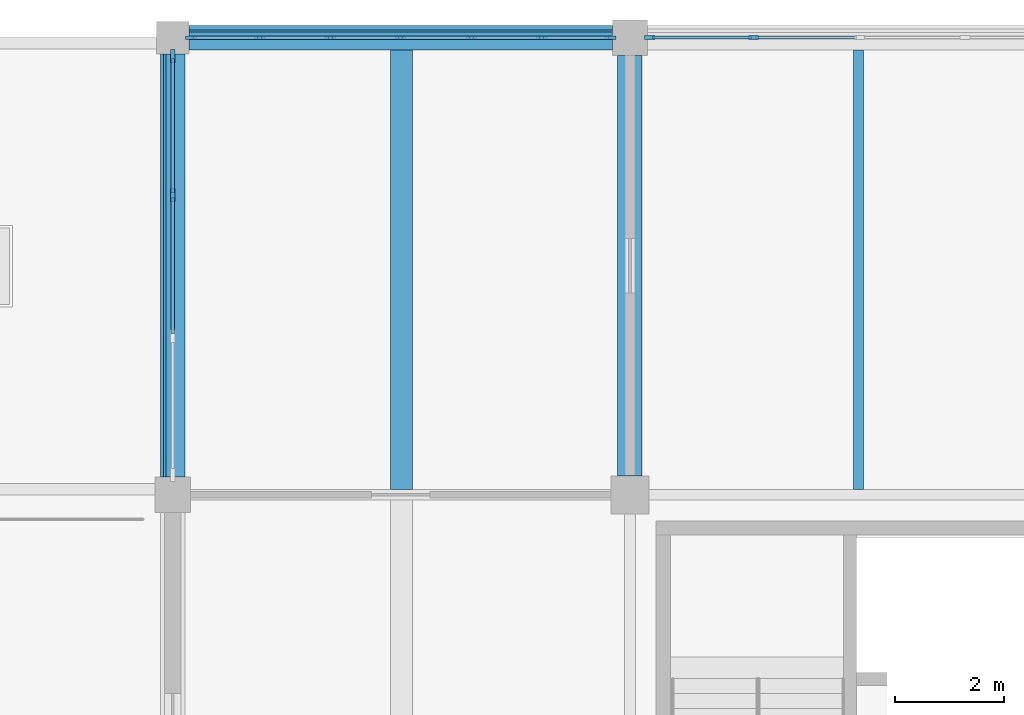
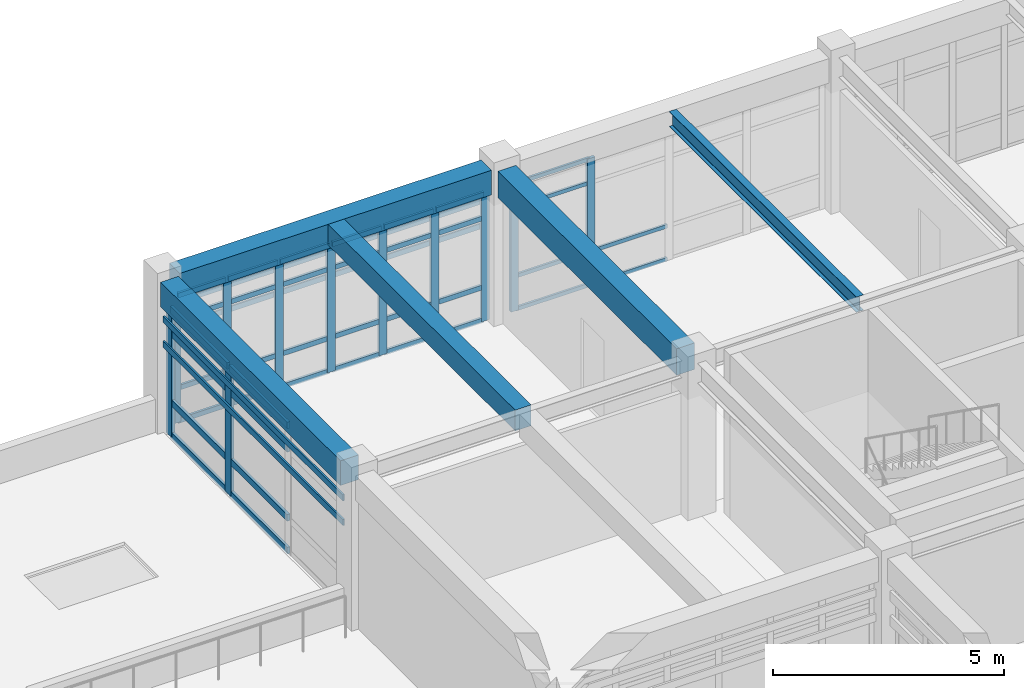
# One storey, part 13 of 40: 53 members, 5 beams, 3 elements without a shape of their own.
"""IFC4 building model written with IfcOpenShell, lengths in metres."""

from ifc_helpers import new_model, si_unit, direction, frame, origin, origin_2d, place, context, subcontext, project, spatial, rectangle, i_section, extrude, material, layer, layer_set, material_profile, profile_set, type_object, element, aggregate, save


model = new_model("IFC4")

# Units and contexts
model_context = context("Model", 3, precision=1e-05, world=origin(), true_north=direction((0.0, 1.0)))
body_context = subcontext(model_context, "Body", "Model", "MODEL_VIEW")
ifc_project = project(units=[si_unit("LENGTHUNIT", "METRE"), si_unit("AREAUNIT", "SQUARE_METRE"), si_unit("VOLUMEUNIT", "CUBIC_METRE"), si_unit("PLANEANGLEUNIT", "RADIAN"), si_unit("MASSUNIT", "GRAM", prefix="KILO")], contexts=[model_context])

# Site, building, storey
site_placement = place(None, origin())
site = spatial("IfcSite", under=ifc_project, at=site_placement, CompositionType="ELEMENT")
building_placement = place(site_placement, origin())
building = spatial("IfcBuilding", under=site, at=building_placement, Name="Porcellanite Civic Hall", CompositionType="ELEMENT")
storey_placement = place(building_placement, frame((0.0, 0.0, 19.080078125)))
storey = spatial("IfcBuildingStorey", under=building, at=storey_placement, Name="L04", CompositionType="ELEMENT", Elevation=19.080078125)

# Beams
ifc_material_1 = material(Name="Concrete N50 (50 MPa)", Category="concrete")
ifc_material_profile_1 = material_profile(ifc_material_1, rectangle(XDim=0.39990234375, YDim=0.550048828125, at=origin_2d()), Name="RC-400x550")
ifc_profile_set_1 = profile_set([ifc_material_profile_1], Name="Concrete N50 (50 MPa)")
beam_type_1 = type_object("IfcBeamType", Name="BM-RC550", PredefinedType="JOIST", material=ifc_profile_set_1)
beam_1_placement = place(storey_placement, frame((46.199951171875, 109.29443359375, 3.794921875), z_axis=(0.0, 1.0, 0.0), x_axis=(-1.0, 0.0, 0.0)))
element("IfcBeam", 1, at=beam_1_placement, inside=storey, type_object=beam_type_1, Name="Secondary joist L04 6-14", PredefinedType="JOIST", context=body_context, shape_type="SweptSolid", body=[
    extrude(rectangle(XDim=0.39990234375, YDim=0.550048828125, at=origin_2d()), origin(), (0.0, 0.0, 1.0), 8.0810546875),
])
ifc_material_2 = material(Name="Concrete N50 (50 MPa)", Category="concrete")
ifc_material_profile_2 = material_profile(ifc_material_2, rectangle(XDim=0.449951171875, YDim=0.64990234375, at=origin_2d()), Name="RC-450x650")
ifc_profile_set_2 = profile_set([ifc_material_profile_2], Name="Concrete N50 (50 MPa)")
beam_type_2 = type_object("IfcBeamType", Name="BM-RC650", PredefinedType="SPANDREL", material=ifc_profile_set_2)
beam_2_placement = place(storey_placement, frame((42.299560546875, 117.60009765625, 3.744873046875), z_axis=(1.0, 0.0, 0.0), x_axis=(0.0, 1.0, 0.0)))
element("IfcBeam", 2, at=beam_2_placement, inside=storey, type_object=beam_type_2, Name="Beam X L04 6-15", PredefinedType="SPANDREL", context=body_context, shape_type="SweptSolid", body=[
    extrude(rectangle(XDim=0.449951171875, YDim=0.64990234375, at=origin_2d()), origin(), (0.0, 0.0, 1.0), 7.77587890625),
])
beam_3_placement = place(storey_placement, frame((42.0, 109.5244140625, 3.744873046875), z_axis=(0.0, 1.0, 0.0), x_axis=(-1.0, 0.0, 0.0)))
element("IfcBeam", 3, at=beam_3_placement, inside=storey, type_object=beam_type_2, Name="Beam Y L04 6-14", PredefinedType="SPANDREL", context=body_context, shape_type="SweptSolid", body=[
    extrude(rectangle(XDim=0.449951171875, YDim=0.64990234375, at=origin_2d()), origin(), (0.0, 0.0, 1.0), 7.776123046875),
])
ifc_material_3 = material(Name="Concrete N50 (50 MPa)", Category="concrete")
ifc_material_profile_3 = material_profile(ifc_material_3, rectangle(XDim=0.449951171875, YDim=0.699951171875, at=origin_2d()), Name="RC-450x700")
ifc_profile_set_3 = profile_set([ifc_material_profile_3], Name="Concrete N50 (50 MPa)")
beam_type_3 = type_object("IfcBeamType", Name="BM-RC700", PredefinedType="BEAM", material=ifc_profile_set_3)
beam_4_placement = place(storey_placement, frame((50.39990234375, 109.549560546875, 3.719970703125), z_axis=(0.0, 1.0, 0.0), x_axis=(-1.0, 0.0, 0.0)))
element("IfcBeam", 4, at=beam_4_placement, inside=storey, type_object=beam_type_3, Name="Beam Y L04 7-14", PredefinedType="BEAM", context=body_context, shape_type="SweptSolid", body=[
    extrude(rectangle(XDim=0.449951171875, YDim=0.699951171875, at=origin_2d()), origin(), (0.0, 0.0, 1.0), 7.725830078125),
])

# Curtain wall, members
ifc_material_4 = material(Name="Anodised aluminium and solar laminated glass", Category="aluminium")
ifc_layer_1 = layer(ifc_material_4, 0.179931640625)
ifc_layer_set_1 = layer_set([ifc_layer_1], Name="Anodised aluminium and solar laminated glass")
curtain_wall_type_1 = type_object("IfcCurtainWallType", Name="CW-SYS08", PredefinedType="NOTDEFINED", material=ifc_layer_set_1)
curtain_wall_1_placement = place(storey_placement, origin())
curtain_wall_1 = element("IfcCurtainWall", 5, at=curtain_wall_1_placement, inside=storey, type_object=curtain_wall_type_1, Name="Curtain wall CW-238", PredefinedType="NOTDEFINED")
ifc_material_5 = material(Name="Anodised aluminium 6063-T6", Category="aluminium")
ifc_material_profile_4 = material_profile(ifc_material_5, rectangle(XDim=0.080078125, YDim=0.239990234375, at=origin_2d()), Name="AL-80x240")
ifc_profile_set_4 = profile_set([ifc_material_profile_4], Name="Anodised aluminium 6063-T6")
member_type_1 = type_object("IfcMemberType", Name="CWM-01", PredefinedType="MULLION", material=ifc_profile_set_4)
member_1_placement = place(storey_placement, frame((42.0, 114.7080078125, 0.0), z_axis=(0.0, 0.0, 1.0), x_axis=(-1.0, 0.0, 0.0)))
member_1 = element("IfcMember", 6, at=member_1_placement, type_object=member_type_1, Name="CW-238 mullion 3", PredefinedType="MULLION", context=body_context, shape_type="SweptSolid", body=[
    extrude(rectangle(XDim=0.080078125, YDim=0.239990234375, at=origin_2d()), origin(), (0.0, 0.0, 1.0), 3.369873046875),
])
member_2_placement = place(storey_placement, frame((42.0, 117.259033203125, 0.0), z_axis=(0.0, 0.0, 1.0), x_axis=(-1.0, 0.0, 0.0)))
member_2 = element("IfcMember", 7, at=member_2_placement, type_object=member_type_1, Name="CW-238 mullion 4", PredefinedType="MULLION", context=body_context, shape_type="SweptSolid", body=[
    extrude(rectangle(XDim=0.080078125, YDim=0.239990234375, at=origin_2d()), origin(), (0.0, 0.0, 1.0), 3.369873046875),
])

ifc_material_6 = material(Name="Anodised aluminium and solar laminated glass", Category="aluminium")
ifc_layer_2 = layer(ifc_material_6, 0.179931640625)
ifc_layer_set_2 = layer_set([ifc_layer_2], Name="Anodised aluminium and solar laminated glass")
curtain_wall_type_2 = type_object("IfcCurtainWallType", Name="CW-SYS04", PredefinedType="NOTDEFINED", material=ifc_layer_set_2)
curtain_wall_2_placement = place(storey_placement, origin())
curtain_wall_2 = element("IfcCurtainWall", 8, at=curtain_wall_2_placement, inside=storey, type_object=curtain_wall_type_2, Name="Curtain wall CW-247", PredefinedType="NOTDEFINED")
ifc_material_7 = material(Name="Anodised aluminium 6063-T6", Category="aluminium")
ifc_material_profile_5 = material_profile(ifc_material_7, rectangle(XDim=0.074951171875, YDim=0.18994140625, at=origin_2d()), Name="AL-75x190")
ifc_profile_set_5 = profile_set([ifc_material_profile_5], Name="Anodised aluminium 6063-T6")
member_type_2 = type_object("IfcMemberType", Name="CWM-04", PredefinedType="MULLION", material=ifc_profile_set_5)
member_3_placement = place(storey_placement, frame((50.763427734375, 117.60009765625, 0.0), z_axis=(0.0, 0.0, 1.0), x_axis=(0.0, 1.0, 0.0)))
member_3 = element("IfcMember", 9, at=member_3_placement, type_object=member_type_2, Name="CW-247 mullion 1", PredefinedType="MULLION", context=body_context, shape_type="SweptSolid", body=[
    extrude(rectangle(XDim=0.074951171875, YDim=0.18994140625, at=origin_2d()), origin(), (0.0, 0.0, 1.0), 3.369873046875),
])
member_4_placement = place(storey_placement, frame((52.669189453125, 117.60009765625, 0.0), z_axis=(0.0, 0.0, 1.0), x_axis=(0.0, 1.0, 0.0)))
member_4 = element("IfcMember", 10, at=member_4_placement, type_object=member_type_2, Name="CW-247 mullion 2", PredefinedType="MULLION", context=body_context, shape_type="SweptSolid", body=[
    extrude(rectangle(XDim=0.074951171875, YDim=0.18994140625, at=origin_2d()), origin(), (0.0, 0.0, 1.0), 3.369873046875),
])

ifc_material_8 = material(Name="Anodised aluminium and solar laminated glass", Category="aluminium")
ifc_layer_3 = layer(ifc_material_8, 0.179931640625)
ifc_layer_set_3 = layer_set([ifc_layer_3], Name="Anodised aluminium and solar laminated glass")
curtain_wall_type_3 = type_object("IfcCurtainWallType", Name="CW-SYS01", PredefinedType="NOTDEFINED", material=ifc_layer_set_3)
curtain_wall_3_placement = place(storey_placement, origin())
curtain_wall_3 = element("IfcCurtainWall", 11, at=curtain_wall_3_placement, inside=storey, type_object=curtain_wall_type_3, Name="Curtain wall CW-239", PredefinedType="NOTDEFINED")
ifc_material_9 = material(Name="Anodised aluminium 6063-T6", Category="aluminium")
ifc_material_profile_6 = material_profile(ifc_material_9, rectangle(XDim=0.070068359375, YDim=0.199951171875, at=origin_2d()), Name="AL-70x200")
ifc_profile_set_6 = profile_set([ifc_material_profile_6], Name="Anodised aluminium 6063-T6")
member_type_3 = type_object("IfcMemberType", Name="CWM-05", PredefinedType="MULLION", material=ifc_profile_set_6)
member_5_placement = place(storey_placement, frame((42.3359375, 117.60009765625, 0.0), z_axis=(0.0, 0.0, 1.0), x_axis=(0.0, 1.0, 0.0)))
member_5 = element("IfcMember", 12, at=member_5_placement, type_object=member_type_3, Name="CW-239 mullion 1", PredefinedType="MULLION", context=body_context, shape_type="SweptSolid", body=[
    extrude(rectangle(XDim=0.070068359375, YDim=0.199951171875, at=origin_2d()), origin(), (0.0, 0.0, 1.0), 3.369873046875),
])
member_6_placement = place(storey_placement, frame((43.596435546875, 117.60009765625, 0.0), z_axis=(0.0, 0.0, 1.0), x_axis=(0.0, 1.0, 0.0)))
member_6 = element("IfcMember", 13, at=member_6_placement, type_object=member_type_3, Name="CW-239 mullion 2", PredefinedType="MULLION", context=body_context, shape_type="SweptSolid", body=[
    extrude(rectangle(XDim=0.070068359375, YDim=0.199951171875, at=origin_2d()), origin(), (0.0, 0.0, 1.0), 3.369873046875),
])
member_7_placement = place(storey_placement, frame((44.89208984375, 117.60009765625, 0.0), z_axis=(0.0, 0.0, 1.0), x_axis=(0.0, 1.0, 0.0)))
member_7 = element("IfcMember", 14, at=member_7_placement, type_object=member_type_3, Name="CW-239 mullion 3", PredefinedType="MULLION", context=body_context, shape_type="SweptSolid", body=[
    extrude(rectangle(XDim=0.070068359375, YDim=0.199951171875, at=origin_2d()), origin(), (0.0, 0.0, 1.0), 3.369873046875),
])
member_8_placement = place(storey_placement, frame((46.1875, 117.60009765625, 0.0), z_axis=(0.0, 0.0, 1.0), x_axis=(0.0, 1.0, 0.0)))
member_8 = element("IfcMember", 15, at=member_8_placement, type_object=member_type_3, Name="CW-239 mullion 4", PredefinedType="MULLION", context=body_context, shape_type="SweptSolid", body=[
    extrude(rectangle(XDim=0.070068359375, YDim=0.199951171875, at=origin_2d()), origin(), (0.0, 0.0, 1.0), 3.369873046875),
])
member_9_placement = place(storey_placement, frame((47.48291015625, 117.60009765625, 0.0), z_axis=(0.0, 0.0, 1.0), x_axis=(0.0, 1.0, 0.0)))
member_9 = element("IfcMember", 16, at=member_9_placement, type_object=member_type_3, Name="CW-239 mullion 5", PredefinedType="MULLION", context=body_context, shape_type="SweptSolid", body=[
    extrude(rectangle(XDim=0.070068359375, YDim=0.199951171875, at=origin_2d()), origin(), (0.0, 0.0, 1.0), 3.369873046875),
])
member_10_placement = place(storey_placement, frame((48.778564453125, 117.60009765625, 0.0), z_axis=(0.0, 0.0, 1.0), x_axis=(0.0, 1.0, 0.0)))
member_10 = element("IfcMember", 17, at=member_10_placement, type_object=member_type_3, Name="CW-239 mullion 6", PredefinedType="MULLION", context=body_context, shape_type="SweptSolid", body=[
    extrude(rectangle(XDim=0.070068359375, YDim=0.199951171875, at=origin_2d()), origin(), (0.0, 0.0, 1.0), 3.369873046875),
])
member_11_placement = place(storey_placement, frame((50.0390625, 117.60009765625, 0.0), z_axis=(0.0, 0.0, 1.0), x_axis=(0.0, 1.0, 0.0)))
member_11 = element("IfcMember", 18, at=member_11_placement, type_object=member_type_3, Name="CW-239 mullion 7", PredefinedType="MULLION", context=body_context, shape_type="SweptSolid", body=[
    extrude(rectangle(XDim=0.070068359375, YDim=0.199951171875, at=origin_2d()), origin(), (0.0, 0.0, 1.0), 3.369873046875),
])

# Member
ifc_material_10 = material(Name="Anodised aluminium 6063-T6", Category="aluminium")
ifc_material_profile_7 = material_profile(ifc_material_10, rectangle(XDim=0.070068359375, YDim=0.175048828125, at=origin_2d()), Name="AL-70x175")
ifc_profile_set_7 = profile_set([ifc_material_profile_7], Name="Anodised aluminium 6063-T6")
member_type_4 = type_object("IfcMemberType", Name="CWT-01", PredefinedType="USERDEFINED", material=ifc_profile_set_7)
member_12_placement = place(storey_placement, frame((42.0, 112.156982421875, 0.034912109375), z_axis=(0.0, 1.0, 0.0), x_axis=(-1.0, 0.0, 0.0)))
member_12 = element("IfcMember", 19, at=member_12_placement, type_object=member_type_4, Name="CW-238 transom 2.1", ObjectType="TRANSOM", PredefinedType="USERDEFINED", context=body_context, shape_type="SweptSolid", body=[
    extrude(rectangle(XDim=0.070068359375, YDim=0.175048828125, at=origin_2d()), origin(), (0.0, 0.0, 1.0), 2.510986328125),
])

member_13_placement = place(storey_placement, frame((42.0, 112.156982421875, 0.89990234375), z_axis=(0.0, 1.0, 0.0), x_axis=(-1.0, 0.0, 0.0)))
member_13 = element("IfcMember", 20, at=member_13_placement, type_object=member_type_4, Name="CW-238 transom 2.2", ObjectType="TRANSOM", PredefinedType="USERDEFINED", context=body_context, shape_type="SweptSolid", body=[
    extrude(rectangle(XDim=0.070068359375, YDim=0.175048828125, at=origin_2d()), origin(), (0.0, 0.0, 1.0), 2.510986328125),
])

member_14_placement = place(storey_placement, frame((42.0, 112.156982421875, 2.719970703125), z_axis=(0.0, 1.0, 0.0), x_axis=(-1.0, 0.0, 0.0)))
member_14 = element("IfcMember", 21, at=member_14_placement, type_object=member_type_4, Name="CW-238 transom 2.3", ObjectType="TRANSOM", PredefinedType="USERDEFINED", context=body_context, shape_type="SweptSolid", body=[
    extrude(rectangle(XDim=0.070068359375, YDim=0.175048828125, at=origin_2d()), origin(), (0.0, 0.0, 1.0), 2.510986328125),
])

member_15_placement = place(storey_placement, frame((42.0, 112.156982421875, 3.3349609375), z_axis=(0.0, 1.0, 0.0), x_axis=(-1.0, 0.0, 0.0)))
member_15 = element("IfcMember", 22, at=member_15_placement, type_object=member_type_4, Name="CW-238 transom 2.4", ObjectType="TRANSOM", PredefinedType="USERDEFINED", context=body_context, shape_type="SweptSolid", body=[
    extrude(rectangle(XDim=0.070068359375, YDim=0.175048828125, at=origin_2d()), origin(), (0.0, 0.0, 1.0), 2.510986328125),
])

member_16_placement = place(storey_placement, frame((42.0, 114.748046875, 0.034912109375), z_axis=(0.0, 1.0, 0.0), x_axis=(-1.0, 0.0, 0.0)))
member_16 = element("IfcMember", 23, at=member_16_placement, type_object=member_type_4, Name="CW-238 transom 3.1", ObjectType="TRANSOM", PredefinedType="USERDEFINED", context=body_context, shape_type="SweptSolid", body=[
    extrude(rectangle(XDim=0.070068359375, YDim=0.175048828125, at=origin_2d()), origin(), (0.0, 0.0, 1.0), 2.470947265625),
])

member_17_placement = place(storey_placement, frame((42.0, 114.748046875, 0.89990234375), z_axis=(0.0, 1.0, 0.0), x_axis=(-1.0, 0.0, 0.0)))
member_17 = element("IfcMember", 24, at=member_17_placement, type_object=member_type_4, Name="CW-238 transom 3.2", ObjectType="TRANSOM", PredefinedType="USERDEFINED", context=body_context, shape_type="SweptSolid", body=[
    extrude(rectangle(XDim=0.070068359375, YDim=0.175048828125, at=origin_2d()), origin(), (0.0, 0.0, 1.0), 2.470947265625),
])

member_18_placement = place(storey_placement, frame((42.0, 114.748046875, 2.719970703125), z_axis=(0.0, 1.0, 0.0), x_axis=(-1.0, 0.0, 0.0)))
member_18 = element("IfcMember", 25, at=member_18_placement, type_object=member_type_4, Name="CW-238 transom 3.3", ObjectType="TRANSOM", PredefinedType="USERDEFINED", context=body_context, shape_type="SweptSolid", body=[
    extrude(rectangle(XDim=0.070068359375, YDim=0.175048828125, at=origin_2d()), origin(), (0.0, 0.0, 1.0), 2.470947265625),
])

member_19_placement = place(storey_placement, frame((42.0, 114.748046875, 3.3349609375), z_axis=(0.0, 1.0, 0.0), x_axis=(-1.0, 0.0, 0.0)))
member_19 = element("IfcMember", 26, at=member_19_placement, type_object=member_type_4, Name="CW-238 transom 3.4", ObjectType="TRANSOM", PredefinedType="USERDEFINED", context=body_context, shape_type="SweptSolid", body=[
    extrude(rectangle(XDim=0.070068359375, YDim=0.175048828125, at=origin_2d()), origin(), (0.0, 0.0, 1.0), 2.470947265625),
])

aggregate(curtain_wall_1, [member_1, member_2, member_12, member_13, member_14, member_15, member_16, member_17, member_18, member_19])

ifc_material_11 = material(Name="Anodised aluminium 6063-T6", Category="aluminium")
ifc_material_profile_8 = material_profile(ifc_material_11, rectangle(XDim=0.06005859375, YDim=0.1298828125, at=origin_2d()), Name="AL-60x130")
ifc_profile_set_8 = profile_set([ifc_material_profile_8], Name="Anodised aluminium 6063-T6")
member_type_5 = type_object("IfcMemberType", Name="CWT-03", PredefinedType="USERDEFINED", material=ifc_profile_set_8)
member_20_placement = place(storey_placement, frame((42.37109375, 117.60009765625, 0.030029296875), z_axis=(1.0, 0.0, 0.0), x_axis=(0.0, 1.0, 0.0)))
member_20 = element("IfcMember", 27, at=member_20_placement, type_object=member_type_5, Name="CW-239 transom 1.1", ObjectType="TRANSOM", PredefinedType="USERDEFINED", context=body_context, shape_type="SweptSolid", body=[
    extrude(rectangle(XDim=0.06005859375, YDim=0.1298828125, at=origin_2d()), origin(), (0.0, 0.0, 1.0), 1.1904296875),
])

member_21_placement = place(storey_placement, frame((42.37109375, 117.60009765625, 0.89990234375), z_axis=(1.0, 0.0, 0.0), x_axis=(0.0, 1.0, 0.0)))
member_21 = element("IfcMember", 28, at=member_21_placement, type_object=member_type_5, Name="CW-239 transom 1.2", ObjectType="TRANSOM", PredefinedType="USERDEFINED", context=body_context, shape_type="SweptSolid", body=[
    extrude(rectangle(XDim=0.06005859375, YDim=0.1298828125, at=origin_2d()), origin(), (0.0, 0.0, 1.0), 1.1904296875),
])

member_22_placement = place(storey_placement, frame((42.37109375, 117.60009765625, 2.719970703125), z_axis=(1.0, 0.0, 0.0), x_axis=(0.0, 1.0, 0.0)))
member_22 = element("IfcMember", 29, at=member_22_placement, type_object=member_type_5, Name="CW-239 transom 1.3", ObjectType="TRANSOM", PredefinedType="USERDEFINED", context=body_context, shape_type="SweptSolid", body=[
    extrude(rectangle(XDim=0.06005859375, YDim=0.1298828125, at=origin_2d()), origin(), (0.0, 0.0, 1.0), 1.1904296875),
])

member_23_placement = place(storey_placement, frame((42.37109375, 117.60009765625, 3.33984375), z_axis=(1.0, 0.0, 0.0), x_axis=(0.0, 1.0, 0.0)))
member_23 = element("IfcMember", 30, at=member_23_placement, type_object=member_type_5, Name="CW-239 transom 1.4", ObjectType="TRANSOM", PredefinedType="USERDEFINED", context=body_context, shape_type="SweptSolid", body=[
    extrude(rectangle(XDim=0.06005859375, YDim=0.1298828125, at=origin_2d()), origin(), (0.0, 0.0, 1.0), 1.1904296875),
])

member_24_placement = place(storey_placement, frame((43.631591796875, 117.60009765625, 0.030029296875), z_axis=(1.0, 0.0, 0.0), x_axis=(0.0, 1.0, 0.0)))
member_24 = element("IfcMember", 31, at=member_24_placement, type_object=member_type_5, Name="CW-239 transom 2.1", ObjectType="TRANSOM", PredefinedType="USERDEFINED", context=body_context, shape_type="SweptSolid", body=[
    extrude(rectangle(XDim=0.06005859375, YDim=0.1298828125, at=origin_2d()), origin(), (0.0, 0.0, 1.0), 1.225341796875),
])

member_25_placement = place(storey_placement, frame((43.631591796875, 117.60009765625, 0.89990234375), z_axis=(1.0, 0.0, 0.0), x_axis=(0.0, 1.0, 0.0)))
member_25 = element("IfcMember", 32, at=member_25_placement, type_object=member_type_5, Name="CW-239 transom 2.2", ObjectType="TRANSOM", PredefinedType="USERDEFINED", context=body_context, shape_type="SweptSolid", body=[
    extrude(rectangle(XDim=0.06005859375, YDim=0.1298828125, at=origin_2d()), origin(), (0.0, 0.0, 1.0), 1.225341796875),
])

member_26_placement = place(storey_placement, frame((43.631591796875, 117.60009765625, 2.719970703125), z_axis=(1.0, 0.0, 0.0), x_axis=(0.0, 1.0, 0.0)))
member_26 = element("IfcMember", 33, at=member_26_placement, type_object=member_type_5, Name="CW-239 transom 2.3", ObjectType="TRANSOM", PredefinedType="USERDEFINED", context=body_context, shape_type="SweptSolid", body=[
    extrude(rectangle(XDim=0.06005859375, YDim=0.1298828125, at=origin_2d()), origin(), (0.0, 0.0, 1.0), 1.225341796875),
])

member_27_placement = place(storey_placement, frame((43.631591796875, 117.60009765625, 3.33984375), z_axis=(1.0, 0.0, 0.0), x_axis=(0.0, 1.0, 0.0)))
member_27 = element("IfcMember", 34, at=member_27_placement, type_object=member_type_5, Name="CW-239 transom 2.4", ObjectType="TRANSOM", PredefinedType="USERDEFINED", context=body_context, shape_type="SweptSolid", body=[
    extrude(rectangle(XDim=0.06005859375, YDim=0.1298828125, at=origin_2d()), origin(), (0.0, 0.0, 1.0), 1.225341796875),
])

member_28_placement = place(storey_placement, frame((44.927001953125, 117.60009765625, 0.030029296875), z_axis=(1.0, 0.0, 0.0), x_axis=(0.0, 1.0, 0.0)))
member_28 = element("IfcMember", 35, at=member_28_placement, type_object=member_type_5, Name="CW-239 transom 3.1", ObjectType="TRANSOM", PredefinedType="USERDEFINED", context=body_context, shape_type="SweptSolid", body=[
    extrude(rectangle(XDim=0.06005859375, YDim=0.1298828125, at=origin_2d()), origin(), (0.0, 0.0, 1.0), 1.2255859375),
])

member_29_placement = place(storey_placement, frame((44.927001953125, 117.60009765625, 0.89990234375), z_axis=(1.0, 0.0, 0.0), x_axis=(0.0, 1.0, 0.0)))
member_29 = element("IfcMember", 36, at=member_29_placement, type_object=member_type_5, Name="CW-239 transom 3.2", ObjectType="TRANSOM", PredefinedType="USERDEFINED", context=body_context, shape_type="SweptSolid", body=[
    extrude(rectangle(XDim=0.06005859375, YDim=0.1298828125, at=origin_2d()), origin(), (0.0, 0.0, 1.0), 1.2255859375),
])

member_30_placement = place(storey_placement, frame((44.927001953125, 117.60009765625, 2.719970703125), z_axis=(1.0, 0.0, 0.0), x_axis=(0.0, 1.0, 0.0)))
member_30 = element("IfcMember", 37, at=member_30_placement, type_object=member_type_5, Name="CW-239 transom 3.3", ObjectType="TRANSOM", PredefinedType="USERDEFINED", context=body_context, shape_type="SweptSolid", body=[
    extrude(rectangle(XDim=0.06005859375, YDim=0.1298828125, at=origin_2d()), origin(), (0.0, 0.0, 1.0), 1.2255859375),
])

member_31_placement = place(storey_placement, frame((44.927001953125, 117.60009765625, 3.33984375), z_axis=(1.0, 0.0, 0.0), x_axis=(0.0, 1.0, 0.0)))
member_31 = element("IfcMember", 38, at=member_31_placement, type_object=member_type_5, Name="CW-239 transom 3.4", ObjectType="TRANSOM", PredefinedType="USERDEFINED", context=body_context, shape_type="SweptSolid", body=[
    extrude(rectangle(XDim=0.06005859375, YDim=0.1298828125, at=origin_2d()), origin(), (0.0, 0.0, 1.0), 1.2255859375),
])

member_32_placement = place(storey_placement, frame((46.222412109375, 117.60009765625, 0.030029296875), z_axis=(1.0, 0.0, 0.0), x_axis=(0.0, 1.0, 0.0)))
member_32 = element("IfcMember", 39, at=member_32_placement, type_object=member_type_5, Name="CW-239 transom 4.1", ObjectType="TRANSOM", PredefinedType="USERDEFINED", context=body_context, shape_type="SweptSolid", body=[
    extrude(rectangle(XDim=0.06005859375, YDim=0.1298828125, at=origin_2d()), origin(), (0.0, 0.0, 1.0), 1.2255859375),
])

member_33_placement = place(storey_placement, frame((46.222412109375, 117.60009765625, 0.89990234375), z_axis=(1.0, 0.0, 0.0), x_axis=(0.0, 1.0, 0.0)))
member_33 = element("IfcMember", 40, at=member_33_placement, type_object=member_type_5, Name="CW-239 transom 4.2", ObjectType="TRANSOM", PredefinedType="USERDEFINED", context=body_context, shape_type="SweptSolid", body=[
    extrude(rectangle(XDim=0.06005859375, YDim=0.1298828125, at=origin_2d()), origin(), (0.0, 0.0, 1.0), 1.2255859375),
])

member_34_placement = place(storey_placement, frame((46.222412109375, 117.60009765625, 2.719970703125), z_axis=(1.0, 0.0, 0.0), x_axis=(0.0, 1.0, 0.0)))
member_34 = element("IfcMember", 41, at=member_34_placement, type_object=member_type_5, Name="CW-239 transom 4.3", ObjectType="TRANSOM", PredefinedType="USERDEFINED", context=body_context, shape_type="SweptSolid", body=[
    extrude(rectangle(XDim=0.06005859375, YDim=0.1298828125, at=origin_2d()), origin(), (0.0, 0.0, 1.0), 1.2255859375),
])

member_35_placement = place(storey_placement, frame((46.222412109375, 117.60009765625, 3.33984375), z_axis=(1.0, 0.0, 0.0), x_axis=(0.0, 1.0, 0.0)))
member_35 = element("IfcMember", 42, at=member_35_placement, type_object=member_type_5, Name="CW-239 transom 4.4", ObjectType="TRANSOM", PredefinedType="USERDEFINED", context=body_context, shape_type="SweptSolid", body=[
    extrude(rectangle(XDim=0.06005859375, YDim=0.1298828125, at=origin_2d()), origin(), (0.0, 0.0, 1.0), 1.2255859375),
])

member_36_placement = place(storey_placement, frame((47.51806640625, 117.60009765625, 0.030029296875), z_axis=(1.0, 0.0, 0.0), x_axis=(0.0, 1.0, 0.0)))
member_36 = element("IfcMember", 43, at=member_36_placement, type_object=member_type_5, Name="CW-239 transom 5.1", ObjectType="TRANSOM", PredefinedType="USERDEFINED", context=body_context, shape_type="SweptSolid", body=[
    extrude(rectangle(XDim=0.06005859375, YDim=0.1298828125, at=origin_2d()), origin(), (0.0, 0.0, 1.0), 1.225341796875),
])

member_37_placement = place(storey_placement, frame((47.51806640625, 117.60009765625, 0.89990234375), z_axis=(1.0, 0.0, 0.0), x_axis=(0.0, 1.0, 0.0)))
member_37 = element("IfcMember", 44, at=member_37_placement, type_object=member_type_5, Name="CW-239 transom 5.2", ObjectType="TRANSOM", PredefinedType="USERDEFINED", context=body_context, shape_type="SweptSolid", body=[
    extrude(rectangle(XDim=0.06005859375, YDim=0.1298828125, at=origin_2d()), origin(), (0.0, 0.0, 1.0), 1.225341796875),
])

member_38_placement = place(storey_placement, frame((47.51806640625, 117.60009765625, 2.719970703125), z_axis=(1.0, 0.0, 0.0), x_axis=(0.0, 1.0, 0.0)))
member_38 = element("IfcMember", 45, at=member_38_placement, type_object=member_type_5, Name="CW-239 transom 5.3", ObjectType="TRANSOM", PredefinedType="USERDEFINED", context=body_context, shape_type="SweptSolid", body=[
    extrude(rectangle(XDim=0.06005859375, YDim=0.1298828125, at=origin_2d()), origin(), (0.0, 0.0, 1.0), 1.225341796875),
])

member_39_placement = place(storey_placement, frame((47.51806640625, 117.60009765625, 3.33984375), z_axis=(1.0, 0.0, 0.0), x_axis=(0.0, 1.0, 0.0)))
member_39 = element("IfcMember", 46, at=member_39_placement, type_object=member_type_5, Name="CW-239 transom 5.4", ObjectType="TRANSOM", PredefinedType="USERDEFINED", context=body_context, shape_type="SweptSolid", body=[
    extrude(rectangle(XDim=0.06005859375, YDim=0.1298828125, at=origin_2d()), origin(), (0.0, 0.0, 1.0), 1.225341796875),
])

member_40_placement = place(storey_placement, frame((48.8134765625, 117.60009765625, 0.030029296875), z_axis=(1.0, 0.0, 0.0), x_axis=(0.0, 1.0, 0.0)))
member_40 = element("IfcMember", 47, at=member_40_placement, type_object=member_type_5, Name="CW-239 transom 6.1", ObjectType="TRANSOM", PredefinedType="USERDEFINED", context=body_context, shape_type="SweptSolid", body=[
    extrude(rectangle(XDim=0.06005859375, YDim=0.1298828125, at=origin_2d()), origin(), (0.0, 0.0, 1.0), 1.1904296875),
])

member_41_placement = place(storey_placement, frame((48.8134765625, 117.60009765625, 0.89990234375), z_axis=(1.0, 0.0, 0.0), x_axis=(0.0, 1.0, 0.0)))
member_41 = element("IfcMember", 48, at=member_41_placement, type_object=member_type_5, Name="CW-239 transom 6.2", ObjectType="TRANSOM", PredefinedType="USERDEFINED", context=body_context, shape_type="SweptSolid", body=[
    extrude(rectangle(XDim=0.06005859375, YDim=0.1298828125, at=origin_2d()), origin(), (0.0, 0.0, 1.0), 1.1904296875),
])

member_42_placement = place(storey_placement, frame((48.8134765625, 117.60009765625, 2.719970703125), z_axis=(1.0, 0.0, 0.0), x_axis=(0.0, 1.0, 0.0)))
member_42 = element("IfcMember", 49, at=member_42_placement, type_object=member_type_5, Name="CW-239 transom 6.3", ObjectType="TRANSOM", PredefinedType="USERDEFINED", context=body_context, shape_type="SweptSolid", body=[
    extrude(rectangle(XDim=0.06005859375, YDim=0.1298828125, at=origin_2d()), origin(), (0.0, 0.0, 1.0), 1.1904296875),
])

member_43_placement = place(storey_placement, frame((48.8134765625, 117.60009765625, 3.33984375), z_axis=(1.0, 0.0, 0.0), x_axis=(0.0, 1.0, 0.0)))
member_43 = element("IfcMember", 50, at=member_43_placement, type_object=member_type_5, Name="CW-239 transom 6.4", ObjectType="TRANSOM", PredefinedType="USERDEFINED", context=body_context, shape_type="SweptSolid", body=[
    extrude(rectangle(XDim=0.06005859375, YDim=0.1298828125, at=origin_2d()), origin(), (0.0, 0.0, 1.0), 1.1904296875),
])

aggregate(curtain_wall_3, [member_5, member_6, member_7, member_8, member_9, member_10, member_11, member_20, member_21, member_22, member_23, member_24, member_25, member_26, member_27, member_28, member_29, member_30, member_31, member_32, member_33, member_34, member_35, member_36, member_37, member_38, member_39, member_40, member_41, member_42, member_43])

ifc_material_12 = material(Name="Anodised aluminium 6063-T6", Category="aluminium")
ifc_material_profile_9 = material_profile(ifc_material_12, rectangle(XDim=0.054931640625, YDim=0.10009765625, at=origin_2d()), Name="AL-55x100")
ifc_profile_set_9 = profile_set([ifc_material_profile_9], Name="Anodised aluminium 6063-T6")
member_type_6 = type_object("IfcMemberType", Name="CWT-05", PredefinedType="USERDEFINED", material=ifc_profile_set_9)
member_44_placement = place(storey_placement, frame((50.801025390625, 117.60009765625, 0.02734375), z_axis=(1.0, 0.0, 0.0), x_axis=(0.0, 1.0, 0.0)))
member_44 = element("IfcMember", 51, at=member_44_placement, type_object=member_type_6, Name="CW-247 transom 1.1", ObjectType="TRANSOM", PredefinedType="USERDEFINED", context=body_context, shape_type="SweptSolid", body=[
    extrude(rectangle(XDim=0.054931640625, YDim=0.10009765625, at=origin_2d()), origin(), (0.0, 0.0, 1.0), 1.830810546875),
])

member_45_placement = place(storey_placement, frame((50.801025390625, 117.60009765625, 0.89990234375), z_axis=(1.0, 0.0, 0.0), x_axis=(0.0, 1.0, 0.0)))
member_45 = element("IfcMember", 52, at=member_45_placement, type_object=member_type_6, Name="CW-247 transom 1.2", ObjectType="TRANSOM", PredefinedType="USERDEFINED", context=body_context, shape_type="SweptSolid", body=[
    extrude(rectangle(XDim=0.054931640625, YDim=0.10009765625, at=origin_2d()), origin(), (0.0, 0.0, 1.0), 1.830810546875),
])

member_46_placement = place(storey_placement, frame((50.801025390625, 117.60009765625, 2.719970703125), z_axis=(1.0, 0.0, 0.0), x_axis=(0.0, 1.0, 0.0)))
member_46 = element("IfcMember", 53, at=member_46_placement, type_object=member_type_6, Name="CW-247 transom 1.3", ObjectType="TRANSOM", PredefinedType="USERDEFINED", context=body_context, shape_type="SweptSolid", body=[
    extrude(rectangle(XDim=0.054931640625, YDim=0.10009765625, at=origin_2d()), origin(), (0.0, 0.0, 1.0), 1.830810546875),
])

member_47_placement = place(storey_placement, frame((50.801025390625, 117.60009765625, 3.342529296875), z_axis=(1.0, 0.0, 0.0), x_axis=(0.0, 1.0, 0.0)))
member_47 = element("IfcMember", 54, at=member_47_placement, type_object=member_type_6, Name="CW-247 transom 1.4", ObjectType="TRANSOM", PredefinedType="USERDEFINED", context=body_context, shape_type="SweptSolid", body=[
    extrude(rectangle(XDim=0.054931640625, YDim=0.10009765625, at=origin_2d()), origin(), (0.0, 0.0, 1.0), 1.830810546875),
])

member_48_placement = place(storey_placement, frame((52.706787109375, 117.60009765625, 0.02734375), z_axis=(1.0, 0.0, 0.0), x_axis=(0.0, 1.0, 0.0)))
member_48 = element("IfcMember", 55, at=member_48_placement, type_object=member_type_6, Name="CW-247 transom 2.1", ObjectType="TRANSOM", PredefinedType="USERDEFINED", context=body_context, shape_type="SweptSolid", body=[
    extrude(rectangle(XDim=0.054931640625, YDim=0.10009765625, at=origin_2d()), origin(), (0.0, 0.0, 1.0), 1.8681640625),
])

member_49_placement = place(storey_placement, frame((52.706787109375, 117.60009765625, 0.89990234375), z_axis=(1.0, 0.0, 0.0), x_axis=(0.0, 1.0, 0.0)))
member_49 = element("IfcMember", 56, at=member_49_placement, type_object=member_type_6, Name="CW-247 transom 2.2", ObjectType="TRANSOM", PredefinedType="USERDEFINED", context=body_context, shape_type="SweptSolid", body=[
    extrude(rectangle(XDim=0.054931640625, YDim=0.10009765625, at=origin_2d()), origin(), (0.0, 0.0, 1.0), 1.8681640625),
])

aggregate(curtain_wall_2, [member_3, member_4, member_44, member_45, member_46, member_47, member_48, member_49])

# Beam
ifc_material_13 = material(Name="Steel Grade 350", Category="steel")
ifc_material_profile_10 = material_profile(ifc_material_13, i_section(OverallWidth=0.177978515625, OverallDepth=0.406005859375, WebThickness=0.0078125, FlangeThickness=0.0126953125, FilletRadius=0.011474609375, at=origin_2d()), Name="410UB59.7")
ifc_profile_set_10 = profile_set([ifc_material_profile_10], Name="Steel Grade 350")
beam_type_4 = type_object("IfcBeamType", Name="JST-410UB60", PredefinedType="JOIST", material=ifc_profile_set_10)
beam_5_placement = place(storey_placement, frame((54.60009765625, 109.29443359375, 3.866943359375), z_axis=(0.0, 1.0, 0.0), x_axis=(-1.0, 0.0, 0.0)))
element("IfcBeam", 57, at=beam_5_placement, inside=storey, type_object=beam_type_4, Name="Secondary joist L04 7-14", PredefinedType="JOIST", context=body_context, shape_type="SweptSolid", body=[
    extrude(i_section(OverallWidth=0.177978515625, OverallDepth=0.406005859375, WebThickness=0.0078125, FlangeThickness=0.0126953125, FilletRadius=0.011474609375, at=origin_2d()), origin(), (0.0, 0.0, 1.0), 8.0810546875),
])

# Members
ifc_material_14 = material(Name="Fluoropolymer bauxite-red aluminium 6063-T6", Category="aluminium")
ifc_material_profile_11 = material_profile(ifc_material_14, rectangle(XDim=0.044921875, YDim=0.159912109375, at=origin_2d()), Name="AL-45x160")
ifc_profile_set_11 = profile_set([ifc_material_profile_11], Name="Fluoropolymer bauxite-red aluminium 6063-T6")
member_type_7 = type_object("IfcMemberType", Name="LV-BLD11", PredefinedType="USERDEFINED", material=ifc_profile_set_11)
for number, where, z_axis, x_axis, name in (
    (58, (41.85546875, 109.5244140625, 3.06982421875), (0.0, 1.0, 0.0), (-1.0, 0.0, 0.0), "Cyclone sunshade louvre L04 W 5-13 1"),
    (59, (41.85546875, 109.5244140625, 2.419921875), (0.0, 1.0, 0.0), (-1.0, 0.0, 0.0), "Cyclone sunshade louvre L04 W 5-13 2"),
):
    element("IfcMember", number, at=place(storey_placement, frame(where, z_axis=z_axis, x_axis=x_axis)), inside=storey, type_object=member_type_7, Name=name, ObjectType="LOUVRE BLADE", PredefinedType="USERDEFINED", context=body_context, shape_type="SweptSolid", body=[
        extrude(rectangle(XDim=0.044921875, YDim=0.159912109375, at=origin_2d()), origin(), (0.0, 0.0, 1.0), 7.776123046875),
    ])
ifc_material_15 = material(Name="Fluoropolymer bauxite-red aluminium 6063-T6", Category="aluminium")
ifc_material_profile_12 = material_profile(ifc_material_15, rectangle(XDim=0.0400390625, YDim=0.139892578125, at=origin_2d()), Name="AL-40x140")
ifc_profile_set_12 = profile_set([ifc_material_profile_12], Name="Fluoropolymer bauxite-red aluminium 6063-T6")
member_type_8 = type_object("IfcMemberType", Name="LV-BLD12", PredefinedType="USERDEFINED", material=ifc_profile_set_12)
for number, where, z_axis, x_axis, name in (
    (60, (42.299560546875, 117.721923828125, 3.06982421875), (1.0, 0.0, 0.0), (0.0, 1.0, 0.0), "Cyclone sunshade louvre L04 N 5-13 1"),
    (61, (42.299560546875, 117.721923828125, 2.419921875), (1.0, 0.0, 0.0), (0.0, 1.0, 0.0), "Cyclone sunshade louvre L04 N 5-13 2"),
):
    element("IfcMember", number, at=place(storey_placement, frame(where, z_axis=z_axis, x_axis=x_axis)), inside=storey, type_object=member_type_8, Name=name, ObjectType="LOUVRE BLADE", PredefinedType="USERDEFINED", context=body_context, shape_type="SweptSolid", body=[
        extrude(rectangle(XDim=0.0400390625, YDim=0.139892578125, at=origin_2d()), origin(), (0.0, 0.0, 1.0), 7.77587890625),
    ])

save(model, "model.ifc")
